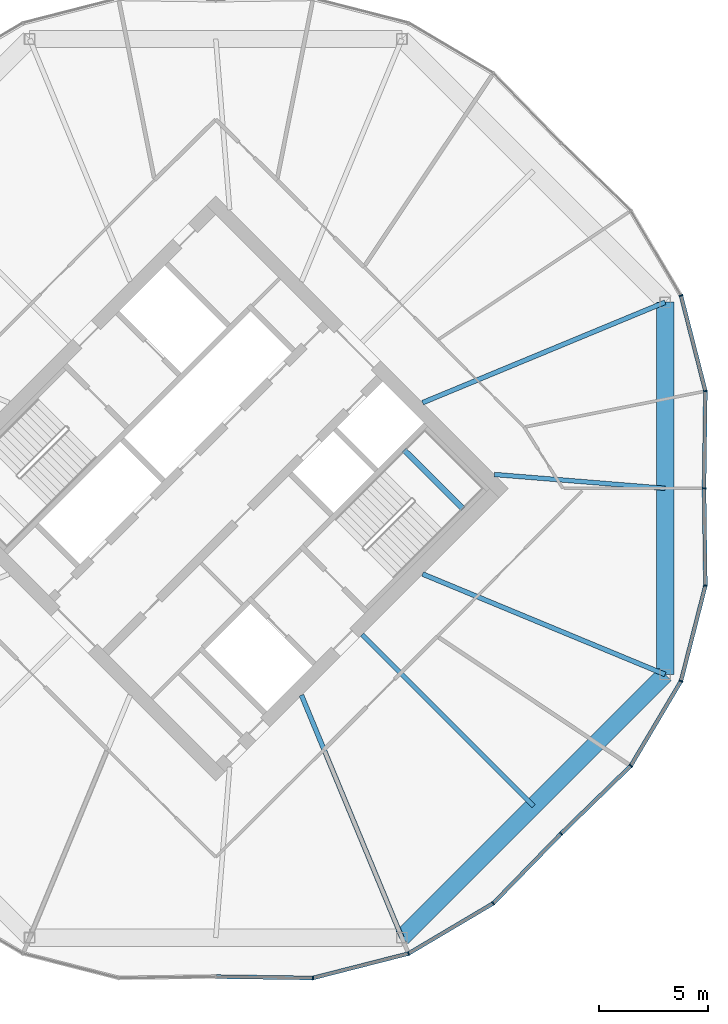
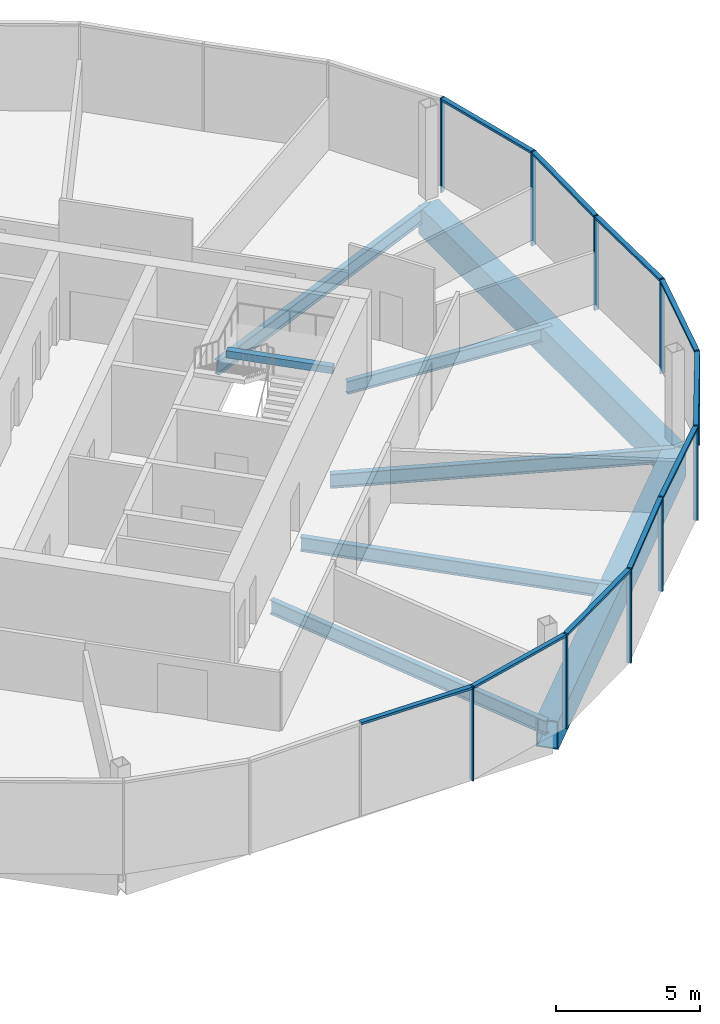
# One storey, part 14 of 26: 20 members, 8 beams, 3 elements without a shape of their own.
"""IFC4 building model written with IfcOpenShell, lengths in metres."""

from ifc_helpers import new_model, si_unit, direction, frame, origin, origin_2d, place, context, subcontext, project, spatial, rectangle, hollow_rectangle, i_section, extrude, material, material_profile, profile_set, type_object, element, aggregate, save


model = new_model("IFC4")

# Units and contexts
model_context = context("Model", 3, precision=1e-05, world=origin(), true_north=direction((0.0, 1.0)))
body_context = subcontext(model_context, "Body", "Model", "MODEL_VIEW")
ifc_project = project(units=[si_unit("LENGTHUNIT", "METRE"), si_unit("AREAUNIT", "SQUARE_METRE"), si_unit("VOLUMEUNIT", "CUBIC_METRE"), si_unit("PLANEANGLEUNIT", "RADIAN"), si_unit("MASSUNIT", "GRAM", prefix="KILO")], contexts=[model_context])

# Site, building, storey
site_placement = place(None, origin())
site = spatial("IfcSite", under=ifc_project, at=site_placement, CompositionType="ELEMENT")
building_placement = place(site_placement, origin())
building = spatial("IfcBuilding", under=site, at=building_placement, Name="Ogive Gate Towers", CompositionType="ELEMENT")
storey_placement = place(building_placement, frame((0.0, 0.0, 156.800048828125)))
storey = spatial("IfcBuildingStorey", under=building, at=storey_placement, Name="L37", CompositionType="ELEMENT", Elevation=156.800048828125)

# Beams
ifc_material_1 = material(Name="Steel SM460", Category="steel")
ifc_material_profile_1 = material_profile(ifc_material_1, hollow_rectangle(XDim=0.800048828125, YDim=1.199951171875, WallThickness=0.050048828125, at=origin_2d()), Name="BX 1200x800x50")
ifc_profile_set_1 = profile_set([ifc_material_profile_1], Name="Steel SM460")
beam_type_1 = type_object("IfcBeamType", Name="Edge girder BX 1200x800x50", PredefinedType="BEAM", material=ifc_profile_set_1)
beam_1_placement = place(storey_placement, frame((44.549072265625, -20.639404296875, -0.900146484375), z_axis=(0.707106781187, 0.707106781187, 0.0), x_axis=(-0.707106781187, 0.707106781187, 0.0)))
element("IfcBeam", 1, at=beam_1_placement, inside=storey, type_object=beam_type_1, Name="T2/L37/SBM019", PredefinedType="BEAM", context=body_context, shape_type="SweptSolid", body=[
    extrude(hollow_rectangle(XDim=0.800048828125, YDim=1.199951171875, WallThickness=0.050048828125, at=origin_2d()), origin(), (0.0, 0.0, 1.0), 17.098388671875),
])
beam_2_placement = place(storey_placement, frame((56.639404296875, -8.549072265625, -0.900146484375), z_axis=(0.0, 1.0, 0.0), x_axis=(-1.0, 0.0, 0.0)))
element("IfcBeam", 2, at=beam_2_placement, inside=storey, type_object=beam_type_1, Name="T2/L37/SBM020", PredefinedType="BEAM", context=body_context, shape_type="SweptSolid", body=[
    extrude(hollow_rectangle(XDim=0.800048828125, YDim=1.199951171875, WallThickness=0.050048828125, at=origin_2d()), origin(), (0.0, 0.0, 1.0), 17.09814453125),
])
ifc_material_2 = material(Name="Concrete C40/50", Category="concrete")
ifc_material_profile_2 = material_profile(ifc_material_2, rectangle(XDim=0.25, YDim=0.300048828125, at=origin_2d()), Name="RC 250x300")
ifc_profile_set_2 = profile_set([ifc_material_profile_2], Name="Concrete C40/50")
beam_type_2 = type_object("IfcBeamType", Name="Landing bearer RC 250x300", PredefinedType="BEAM", material=ifc_profile_set_2)
beam_3_placement = place(storey_placement, frame((47.35888671875, -0.94482421875, 1.64990234375), z_axis=(-0.707138693938, 0.707074866995, 0.0), x_axis=(-0.707074866995, -0.707138693938, 0.0)))
element("IfcBeam", 3, at=beam_3_placement, inside=storey, type_object=beam_type_2, Name="T2 L37 stair 2 landing bearer 1", PredefinedType="BEAM", context=body_context, shape_type="SweptSolid", body=[
    extrude(rectangle(XDim=0.25, YDim=0.300048828125, at=origin_2d()), origin(), (0.0, 0.0, 1.0), 3.824951171875),
])
ifc_material_3 = material(Name="Steel SM355", Category="steel")
ifc_material_profile_3 = material_profile(ifc_material_3, i_section(OverallWidth=0.2099609375, OverallDepth=0.550048828125, WebThickness=0.010986328125, FlangeThickness=0.01708984375, FilletRadius=0.02392578125, at=origin_2d()), Name="IPE 550")
ifc_profile_set_3 = profile_set([ifc_material_profile_3], Name="Steel SM355")
beam_type_3 = type_object("IfcBeamType", Name="Radial floor beam IPE 550", PredefinedType="BEAM", material=ifc_profile_set_3)
beam_4_placement = place(storey_placement, frame((48.798583984375, 0.636474609375, -0.574951171875), z_axis=(0.996721544062, -0.080908365468, 0.0), x_axis=(0.080908365468, 0.996721544062, 0.0)))
element("IfcBeam", 4, at=beam_4_placement, inside=storey, type_object=beam_type_3, Name="T2/L37/SBM008", PredefinedType="BEAM", context=body_context, shape_type="SweptSolid", body=[
    extrude(i_section(OverallWidth=0.2099609375, OverallDepth=0.550048828125, WebThickness=0.010986328125, FlangeThickness=0.01708984375, FilletRadius=0.02392578125, at=origin_2d()), origin(), (0.0, 0.0, 1.0), 7.86669921875),
])
ifc_material_profile_4 = material_profile(ifc_material_3, i_section(OverallWidth=0.219970703125, OverallDepth=0.60009765625, WebThickness=0.011962890625, FlangeThickness=0.01904296875, FilletRadius=0.02392578125, at=origin_2d()), Name="IPE 600")
ifc_profile_set_4 = profile_set([ifc_material_profile_4], Name="Steel SM355")
beam_type_4 = type_object("IfcBeamType", Name="Radial floor beam IPE 600", PredefinedType="BEAM", material=ifc_profile_set_4)
beam_5_placement = place(storey_placement, frame((39.93505859375, -9.5, -0.60009765625), z_axis=(0.382677863518, -0.923881839184, 0.0), x_axis=(0.923881839184, 0.382677863518, 0.0)))
element("IfcBeam", 5, at=beam_5_placement, inside=storey, type_object=beam_type_4, Name="T2/L37/SBM005", PredefinedType="BEAM", context=body_context, shape_type="SweptSolid", body=[
    extrude(i_section(OverallWidth=0.219970703125, OverallDepth=0.60009765625, WebThickness=0.011962890625, FlangeThickness=0.01904296875, FilletRadius=0.02392578125, at=origin_2d()), origin(), (0.0, 0.0, 1.0), 12.05712890625),
])
beam_6_placement = place(storey_placement, frame((42.717529296875, -6.717529296875, -0.60009765625), z_axis=(0.707106781187, -0.707106781187, 0.0), x_axis=(0.707106781187, 0.707106781187, 0.0)))
element("IfcBeam", 6, at=beam_6_placement, inside=storey, type_object=beam_type_4, Name="T2/L37/SBM006", PredefinedType="BEAM", context=body_context, shape_type="SweptSolid", body=[
    extrude(i_section(OverallWidth=0.219970703125, OverallDepth=0.60009765625, WebThickness=0.011962890625, FlangeThickness=0.01904296875, FilletRadius=0.02392578125, at=origin_2d()), origin(), (0.0, 0.0, 1.0), 11.139404296875),
])
for number, where, z_axis, x_axis, name in (
    (7, (45.5, -3.93505859375, -0.60009765625), (0.923881839184, -0.382677863518, 0.0), (0.382677863518, 0.923881839184, 0.0), "T2/L37/SBM007"),
    (8, (45.5, 3.93505859375, -0.60009765625), (0.923881839184, 0.382677863518, 0.0), (-0.382677863518, 0.923881839184, 0.0), "T2/L37/SBM009"),
):
    element("IfcBeam", number, at=place(storey_placement, frame(where, z_axis=z_axis, x_axis=x_axis)), inside=storey, type_object=beam_type_4, Name=name, PredefinedType="BEAM", context=body_context, shape_type="SweptSolid", body=[
        extrude(i_section(OverallWidth=0.219970703125, OverallDepth=0.60009765625, WebThickness=0.011962890625, FlangeThickness=0.01904296875, FilletRadius=0.02392578125, at=origin_2d()), origin(), (0.0, 0.0, 1.0), 12.05712890625),
    ])

# Curtain wall, members
ifc_material_4 = material(Name="Pale metal aluminium", Category="aluminium")
curtain_wall_type = type_object("IfcCurtainWallType", Name="Tower unitised wall, high zone", PredefinedType="NOTDEFINED", material=ifc_material_4)
curtain_wall_1_placement = place(storey_placement, origin())
curtain_wall_1 = element("IfcCurtainWall", 9, at=curtain_wall_1_placement, inside=storey, type_object=curtain_wall_type, Name="CW2 T2 ECW01", PredefinedType="NOTDEFINED")
ifc_material_profile_5 = material_profile(ifc_material_4, rectangle(XDim=0.179931640625, YDim=0.06005859375, at=origin_2d()), Name="60 x 180 aluminium box")
ifc_profile_set_5 = profile_set([ifc_material_profile_5], Name="Pale metal aluminium")
member_type_1 = type_object("IfcMemberType", Name="Tower unitised wall, high zone mullion 60 x 180", PredefinedType="MULLION", material=ifc_profile_set_5)
member_1_placement = place(storey_placement, frame((58.429931640625, 0.0, -0.300048828125), z_axis=(0.0, 0.0, 1.0), x_axis=(0.999905905764, -0.013717857647, 0.0)))
member_1 = element("IfcMember", 10, at=member_1_placement, type_object=member_type_1, Name="CW2 mullion", PredefinedType="MULLION", context=body_context, shape_type="SweptSolid", body=[
    extrude(rectangle(XDim=0.179931640625, YDim=0.06005859375, at=origin_2d()), origin(), (0.0, 0.0, 1.0), 4.0),
])
member_2_placement = place(storey_placement, frame((58.491455078125, 4.466552734375, -0.300048828125), z_axis=(0.0, 0.0, 1.0), x_axis=(0.9930129585, 0.118005356875, 0.0)))
member_2 = element("IfcMember", 11, at=member_2_placement, type_object=member_type_1, Name="CW2 mullion", PredefinedType="MULLION", context=body_context, shape_type="SweptSolid", body=[
    extrude(rectangle(XDim=0.179931640625, YDim=0.06005859375, at=origin_2d()), origin(), (0.0, 0.0, 1.0), 4.0),
])
member_3_placement = place(storey_placement, frame((57.370361328125, 8.851806640625, -0.300048828125), z_axis=(0.0, 0.0, 1.0), x_axis=(0.923879532511, 0.382683432365, 0.0)))
member_3 = element("IfcMember", 12, at=member_3_placement, type_object=member_type_1, Name="CW2 mullion", PredefinedType="MULLION", context=body_context, shape_type="SweptSolid", body=[
    extrude(rectangle(XDim=0.179931640625, YDim=0.06005859375, at=origin_2d()), origin(), (0.0, 0.0, 1.0), 4.0),
])

curtain_wall_2_placement = place(storey_placement, origin())
curtain_wall_2 = element("IfcCurtainWall", 13, at=curtain_wall_2_placement, inside=storey, type_object=curtain_wall_type, Name="CW2 T2 ECW07", PredefinedType="NOTDEFINED")
member_4_placement = place(storey_placement, frame((40.466552734375, -22.491455078125, -0.300048828125), z_axis=(0.0, 0.0, 1.0), x_axis=(0.118005356875, -0.9930129585, 0.0)))
member_4 = element("IfcMember", 14, at=member_4_placement, type_object=member_type_1, Name="CW2 mullion", PredefinedType="MULLION", context=body_context, shape_type="SweptSolid", body=[
    extrude(rectangle(XDim=0.179931640625, YDim=0.06005859375, at=origin_2d()), origin(), (0.0, 0.0, 1.0), 4.0),
])
member_5_placement = place(storey_placement, frame((44.851806640625, -21.370361328125, -0.300048828125), z_axis=(0.0, 0.0, 1.0), x_axis=(0.382683432365, -0.923879532511, 0.0)))
member_5 = element("IfcMember", 15, at=member_5_placement, type_object=member_type_1, Name="CW2 mullion", PredefinedType="MULLION", context=body_context, shape_type="SweptSolid", body=[
    extrude(rectangle(XDim=0.179931640625, YDim=0.06005859375, at=origin_2d()), origin(), (0.0, 0.0, 1.0), 4.0),
])
member_6_placement = place(storey_placement, frame((48.745361328125, -19.06201171875, -0.300048828125), z_axis=(0.0, 0.0, 1.0), x_axis=(0.618710097148, -0.785619383472, 0.0)))
member_6 = element("IfcMember", 16, at=member_6_placement, type_object=member_type_1, Name="CW2 mullion", PredefinedType="MULLION", context=body_context, shape_type="SweptSolid", body=[
    extrude(rectangle(XDim=0.179931640625, YDim=0.06005859375, at=origin_2d()), origin(), (0.0, 0.0, 1.0), 4.0),
])
member_7_placement = place(storey_placement, frame((51.8603515625, -15.860595703125, -0.300048828125), z_axis=(0.0, 0.0, 1.0), x_axis=(0.716728065687, -0.697352765719, 0.0)))
member_7 = element("IfcMember", 17, at=member_7_placement, type_object=member_type_1, Name="CW2 mullion", PredefinedType="MULLION", context=body_context, shape_type="SweptSolid", body=[
    extrude(rectangle(XDim=0.179931640625, YDim=0.06005859375, at=origin_2d()), origin(), (0.0, 0.0, 1.0), 4.0),
])

curtain_wall_3_placement = place(storey_placement, origin())
curtain_wall_3 = element("IfcCurtainWall", 18, at=curtain_wall_3_placement, inside=storey, type_object=curtain_wall_type, Name="CW2 T2 ECW08", PredefinedType="NOTDEFINED")
member_8_placement = place(storey_placement, frame((55.06201171875, -12.745361328125, -0.300048828125), z_axis=(0.0, 0.0, 1.0), x_axis=(0.785619383472, -0.618710097148, 0.0)))
member_8 = element("IfcMember", 19, at=member_8_placement, type_object=member_type_1, Name="CW2 mullion", PredefinedType="MULLION", context=body_context, shape_type="SweptSolid", body=[
    extrude(rectangle(XDim=0.179931640625, YDim=0.06005859375, at=origin_2d()), origin(), (0.0, 0.0, 1.0), 4.0),
])
member_9_placement = place(storey_placement, frame((57.370361328125, -8.851806640625, -0.300048828125), z_axis=(0.0, 0.0, 1.0), x_axis=(0.923879532511, -0.382683432365, 0.0)))
member_9 = element("IfcMember", 20, at=member_9_placement, type_object=member_type_1, Name="CW2 mullion", PredefinedType="MULLION", context=body_context, shape_type="SweptSolid", body=[
    extrude(rectangle(XDim=0.179931640625, YDim=0.06005859375, at=origin_2d()), origin(), (0.0, 0.0, 1.0), 4.0),
])
member_10_placement = place(storey_placement, frame((58.491455078125, -4.466552734375, -0.300048828125), z_axis=(0.0, 0.0, 1.0), x_axis=(0.9930129585, -0.118005356875, 0.0)))
member_10 = element("IfcMember", 21, at=member_10_placement, type_object=member_type_1, Name="CW2 mullion", PredefinedType="MULLION", context=body_context, shape_type="SweptSolid", body=[
    extrude(rectangle(XDim=0.179931640625, YDim=0.06005859375, at=origin_2d()), origin(), (0.0, 0.0, 1.0), 4.0),
])

# Member
ifc_material_profile_6 = material_profile(ifc_material_4, rectangle(XDim=0.179931640625, YDim=0.10009765625, at=origin_2d()), Name="100 x 180 aluminium box")
ifc_profile_set_6 = profile_set([ifc_material_profile_6], Name="Pale metal aluminium")
member_type_2 = type_object("IfcMemberType", Name="Tower unitised wall, high zone transom 100 x 180", PredefinedType="USERDEFINED", material=ifc_profile_set_6)
member_11_placement = place(storey_placement, frame((58.430419921875, 0.030029296875, 3.64990234375), z_axis=(0.013734511655, 0.999905677146, 0.0), x_axis=(-0.999905677146, 0.013734511655, 0.0)))
member_11 = element("IfcMember", 22, at=member_11_placement, type_object=member_type_2, Name="CW2 transom", ObjectType="TRANSOM", PredefinedType="USERDEFINED", context=body_context, shape_type="SweptSolid", body=[
    extrude(rectangle(XDim=0.179931640625, YDim=0.10009765625, at=origin_2d()), origin(), (0.0, 0.0, 1.0), 4.408447265625),
])

member_12_placement = place(storey_placement, frame((58.484130859375, 4.494384765625, 3.64990234375), z_axis=(-0.247686581529, 0.968840212486, 0.0), x_axis=(-0.968840212486, -0.247686581529, 0.0)))
member_12 = element("IfcMember", 23, at=member_12_placement, type_object=member_type_2, Name="CW2 transom", ObjectType="TRANSOM", PredefinedType="USERDEFINED", context=body_context, shape_type="SweptSolid", body=[
    extrude(rectangle(XDim=0.179931640625, YDim=0.10009765625, at=origin_2d()), origin(), (0.0, 0.0, 1.0), 4.468994140625),
])

aggregate(curtain_wall_1, [member_1, member_2, member_11, member_3, member_12])

member_13_placement = place(storey_placement, frame((36.030029296875, -22.430419921875, 3.64990234375), z_axis=(0.999905677146, -0.013734511655, 0.0), x_axis=(0.013734511655, 0.999905677146, 0.0)))
member_13 = element("IfcMember", 24, at=member_13_placement, type_object=member_type_2, Name="CW2 transom", ObjectType="TRANSOM", PredefinedType="USERDEFINED", context=body_context, shape_type="SweptSolid", body=[
    extrude(rectangle(XDim=0.179931640625, YDim=0.10009765625, at=origin_2d()), origin(), (0.0, 0.0, 1.0), 4.408447265625),
])

member_14_placement = place(storey_placement, frame((40.494384765625, -22.484130859375, 3.64990234375), z_axis=(0.968840212486, 0.247686581529, 0.0), x_axis=(-0.247686581529, 0.968840212486, 0.0)))
member_14 = element("IfcMember", 25, at=member_14_placement, type_object=member_type_2, Name="CW2 transom", ObjectType="TRANSOM", PredefinedType="USERDEFINED", context=body_context, shape_type="SweptSolid", body=[
    extrude(rectangle(XDim=0.179931640625, YDim=0.10009765625, at=origin_2d()), origin(), (0.0, 0.0, 1.0), 4.468994140625),
])

member_15_placement = place(storey_placement, frame((44.87646484375, -21.355712890625, 3.64990234375), z_axis=(0.860194793579, 0.50996560384, 0.0), x_axis=(-0.50996560384, 0.860194793579, 0.0)))
member_15 = element("IfcMember", 26, at=member_15_placement, type_object=member_type_2, Name="CW2 transom", ObjectType="TRANSOM", PredefinedType="USERDEFINED", context=body_context, shape_type="SweptSolid", body=[
    extrude(rectangle(XDim=0.179931640625, YDim=0.10009765625, at=origin_2d()), origin(), (0.0, 0.0, 1.0), 4.468994140625),
])

member_16_placement = place(storey_placement, frame((48.765380859375, -19.04150390625, 3.64990234375), z_axis=(0.697348039288, 0.716732664318, 0.0), x_axis=(-0.716732664318, 0.697348039288, 0.0)))
member_16 = element("IfcMember", 27, at=member_16_placement, type_object=member_type_2, Name="CW2 transom", ObjectType="TRANSOM", PredefinedType="USERDEFINED", context=body_context, shape_type="SweptSolid", body=[
    extrude(rectangle(XDim=0.179931640625, YDim=0.10009765625, at=origin_2d()), origin(), (0.0, 0.0, 1.0), 4.408203125),
])

aggregate(curtain_wall_2, [member_4, member_13, member_5, member_14, member_6, member_15, member_7, member_16])

member_17_placement = place(storey_placement, frame((51.882080078125, -15.83935546875, 3.64990234375), z_axis=(0.716732664318, 0.697348039288, 0.0), x_axis=(-0.697348039288, 0.716732664318, 0.0)))
member_17 = element("IfcMember", 28, at=member_17_placement, type_object=member_type_2, Name="CW2 transom", ObjectType="TRANSOM", PredefinedType="USERDEFINED", context=body_context, shape_type="SweptSolid", body=[
    extrude(rectangle(XDim=0.179931640625, YDim=0.10009765625, at=origin_2d()), origin(), (0.0, 0.0, 1.0), 4.408203125),
])

member_18_placement = place(storey_placement, frame((55.07666015625, -12.720703125, 3.64990234375), z_axis=(0.50996560384, 0.860194793579, 0.0), x_axis=(-0.860194793579, 0.50996560384, 0.0)))
member_18 = element("IfcMember", 29, at=member_18_placement, type_object=member_type_2, Name="CW2 transom", ObjectType="TRANSOM", PredefinedType="USERDEFINED", context=body_context, shape_type="SweptSolid", body=[
    extrude(rectangle(XDim=0.179931640625, YDim=0.10009765625, at=origin_2d()), origin(), (0.0, 0.0, 1.0), 4.468994140625),
])

member_19_placement = place(storey_placement, frame((57.377197265625, -8.82421875, 3.64990234375), z_axis=(0.247686581529, 0.968840212486, 0.0), x_axis=(-0.968840212486, 0.247686581529, 0.0)))
member_19 = element("IfcMember", 30, at=member_19_placement, type_object=member_type_2, Name="CW2 transom", ObjectType="TRANSOM", PredefinedType="USERDEFINED", context=body_context, shape_type="SweptSolid", body=[
    extrude(rectangle(XDim=0.179931640625, YDim=0.10009765625, at=origin_2d()), origin(), (0.0, 0.0, 1.0), 4.468994140625),
])

member_20_placement = place(storey_placement, frame((58.490966796875, -4.43798828125, 3.64990234375), z_axis=(-0.013734511655, 0.999905677146, 0.0), x_axis=(-0.999905677146, -0.013734511655, 0.0)))
member_20 = element("IfcMember", 31, at=member_20_placement, type_object=member_type_2, Name="CW2 transom", ObjectType="TRANSOM", PredefinedType="USERDEFINED", context=body_context, shape_type="SweptSolid", body=[
    extrude(rectangle(XDim=0.179931640625, YDim=0.10009765625, at=origin_2d()), origin(), (0.0, 0.0, 1.0), 4.408447265625),
])

aggregate(curtain_wall_3, [member_8, member_17, member_9, member_18, member_10, member_19, member_20])

save(model, "model.ifc")
